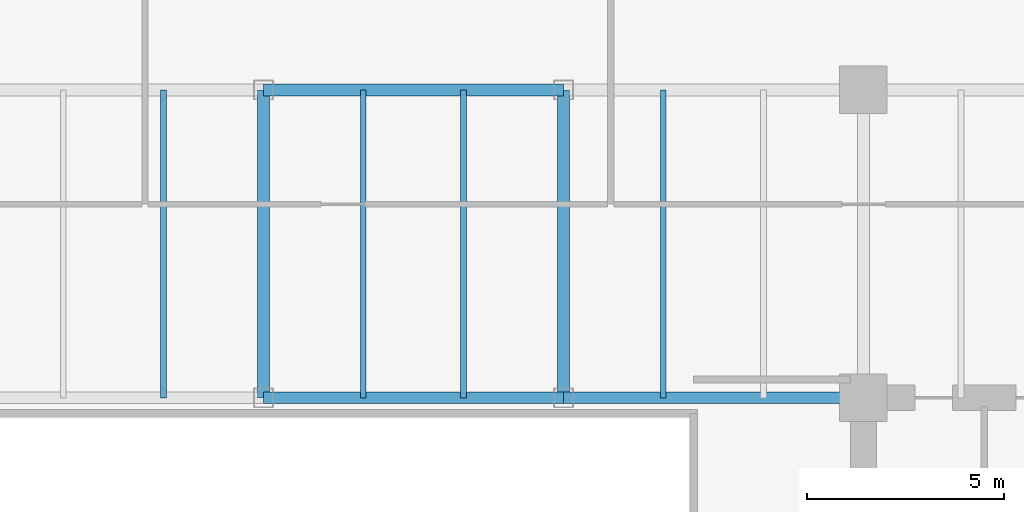
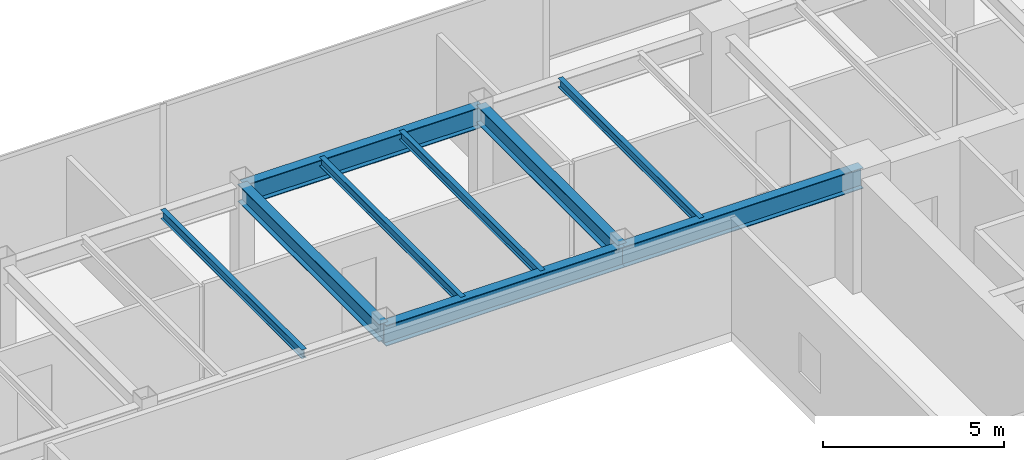
# One storey, part 17 of 30: 9 beams.
"""IFC4 building model written with IfcOpenShell, lengths in metres."""

from ifc_helpers import new_model, si_unit, direction, frame, origin, origin_2d, place, context, subcontext, project, spatial, i_section, extrude, source, transform, mapped, material, material_profile, profile_set, type_object, type_shapes, element, save


model = new_model("IFC4")

# Units and contexts
model_context = context("Model", 3, precision=1e-05, world=origin(), true_north=direction((0.0, 1.0)))
body_context = subcontext(model_context, "Body", "Model", "MODEL_VIEW")
ifc_project = project(units=[si_unit("LENGTHUNIT", "METRE"), si_unit("AREAUNIT", "SQUARE_METRE"), si_unit("VOLUMEUNIT", "CUBIC_METRE"), si_unit("PLANEANGLEUNIT", "RADIAN"), si_unit("MASSUNIT", "GRAM", prefix="KILO")], contexts=[model_context])

# Site, building, storey
site_placement = place(None, origin())
site = spatial("IfcSite", under=ifc_project, at=site_placement, CompositionType="ELEMENT")
building_placement = place(site_placement, origin())
building = spatial("IfcBuilding", under=site, at=building_placement, Name="Haelvirn Gate Laboratories", CompositionType="ELEMENT")
storey_placement = place(building_placement, frame((0.0, 0.0, 170.699951171875)))
storey = spatial("IfcBuildingStorey", under=building, at=storey_placement, Name="L41", CompositionType="ELEMENT", Elevation=170.699951171875)

# Beams
ifc_material = material(Name="Steel SM355", Category="steel")
ifc_material_profile_1 = material_profile(ifc_material, i_section(OverallWidth=0.300048828125, OverallDepth=0.699951171875, WebThickness=0.012939453125, FlangeThickness=0.02392578125, at=origin_2d()), Name="H-700x300x13x24")
ifc_profile_set_1 = profile_set([ifc_material_profile_1], Name="Steel SM355")
beam_type_1 = type_object("IfcBeamType", Name="BM-G-700", PredefinedType="BEAM", material=ifc_profile_set_1)
shared_shape_1 = source(origin(), body_context, "Body", "SweptSolid", [
    extrude(i_section(OverallWidth=0.300048828125, OverallDepth=0.699951171875, WebThickness=0.012939453125, FlangeThickness=0.02392578125, at=origin_2d()), origin(), (0.0, 0.0, 1.0), 7.60009765625),
])
type_shapes(beam_type_1, [shared_shape_1])
for number, where, z_axis, x_axis, name in (
    (1, (37.39990234375, 33.800048828125, 3.43994140625), (1.0, 0.0, 0.0), (0.0, 1.0, 0.0), "L41 Primary Girder Y33.8 (37.4-45.0)"),
    (2, (45.0, 33.800048828125, 3.43994140625), (1.0, 0.0, 0.0), (0.0, 1.0, 0.0), "L41 Primary Girder Y33.8 (45.0-52.6)"),
    (3, (37.39990234375, 41.60009765625, 3.43994140625), (1.0, 0.0, 0.0), (0.0, 1.0, 0.0), "L41 Primary Girder Y41.6 (37.4-45.0)"),
):
    element("IfcBeam", number, at=place(storey_placement, frame(where, z_axis=z_axis, x_axis=x_axis)), inside=storey, type_object=beam_type_1, Name=name, PredefinedType="BEAM", context=body_context, shape_type="MappedRepresentation", body=[
        mapped(shared_shape_1, transform((0.0, 0.0, 0.0), scale=1.0)),
    ])
ifc_material_profile_2 = material_profile(ifc_material, i_section(OverallWidth=0.14990234375, OverallDepth=0.300048828125, WebThickness=0.006591796875, FlangeThickness=0.009033203125, at=origin_2d()), Name="H-300x150x6.5x9")
ifc_profile_set_2 = profile_set([ifc_material_profile_2], Name="Steel SM355")
beam_type_2 = type_object("IfcBeamType", Name="BM-J-300", PredefinedType="JOIST", material=ifc_profile_set_2)
shared_shape_2 = source(origin(), body_context, "Body", "SweptSolid", [
    extrude(i_section(OverallWidth=0.14990234375, OverallDepth=0.300048828125, WebThickness=0.006591796875, FlangeThickness=0.009033203125, at=origin_2d()), origin(), (0.0, 0.0, 1.0), 7.800048828125),
])
type_shapes(beam_type_2, [shared_shape_2])
for number, where, z_axis, x_axis, name in (
    (4, (34.8701171875, 33.800048828125, 3.64013671875), (0.0, 1.0, 0.0), (-1.0, 0.0, 0.0), "L41 Composite Lab Joist North X34.87"),
    (5, (39.929931640625, 33.800048828125, 3.64013671875), (0.0, 1.0, 0.0), (-1.0, 0.0, 0.0), "L41 Composite Lab Joist North X39.93"),
    (6, (42.469970703125, 33.800048828125, 3.64013671875), (0.0, 1.0, 0.0), (-1.0, 0.0, 0.0), "L41 Composite Lab Joist North X42.47"),
    (7, (47.530029296875, 33.800048828125, 3.64013671875), (0.0, 1.0, 0.0), (-1.0, 0.0, 0.0), "L41 Composite Lab Joist North X47.53"),
):
    element("IfcBeam", number, at=place(storey_placement, frame(where, z_axis=z_axis, x_axis=x_axis)), inside=storey, type_object=beam_type_2, Name=name, PredefinedType="JOIST", context=body_context, shape_type="MappedRepresentation", body=[
        mapped(shared_shape_2, transform((0.0, 0.0, 0.0), scale=1.0)),
    ])
ifc_material_profile_3 = material_profile(ifc_material, i_section(OverallWidth=0.300048828125, OverallDepth=0.587890625, WebThickness=0.011962890625, FlangeThickness=0.02001953125, at=origin_2d()), Name="H-588x300x12x20")
ifc_profile_set_3 = profile_set([ifc_material_profile_3], Name="Steel SM355")
beam_type_3 = type_object("IfcBeamType", Name="BM-G-588", PredefinedType="BEAM", material=ifc_profile_set_3)
shared_shape_3 = source(origin(), body_context, "Body", "SweptSolid", [
    extrude(i_section(OverallWidth=0.300048828125, OverallDepth=0.587890625, WebThickness=0.011962890625, FlangeThickness=0.02001953125, at=origin_2d()), origin(), (0.0, 0.0, 1.0), 7.800048828125),
])
type_shapes(beam_type_3, [shared_shape_3])
for number, where, z_axis, x_axis, name in (
    (8, (37.39990234375, 33.800048828125, 3.49609375), (0.0, 1.0, 0.0), (-1.0, 0.0, 0.0), "L41 Frame Girder X37.4 (33.8-41.6)"),
    (9, (45.0, 33.800048828125, 3.49609375), (0.0, 1.0, 0.0), (-1.0, 0.0, 0.0), "L41 Frame Girder X45.0 (33.8-41.6)"),
):
    element("IfcBeam", number, at=place(storey_placement, frame(where, z_axis=z_axis, x_axis=x_axis)), inside=storey, type_object=beam_type_3, Name=name, PredefinedType="BEAM", context=body_context, shape_type="MappedRepresentation", body=[
        mapped(shared_shape_3, transform((0.0, 0.0, 0.0), scale=1.0)),
    ])

save(model, "model.ifc")
